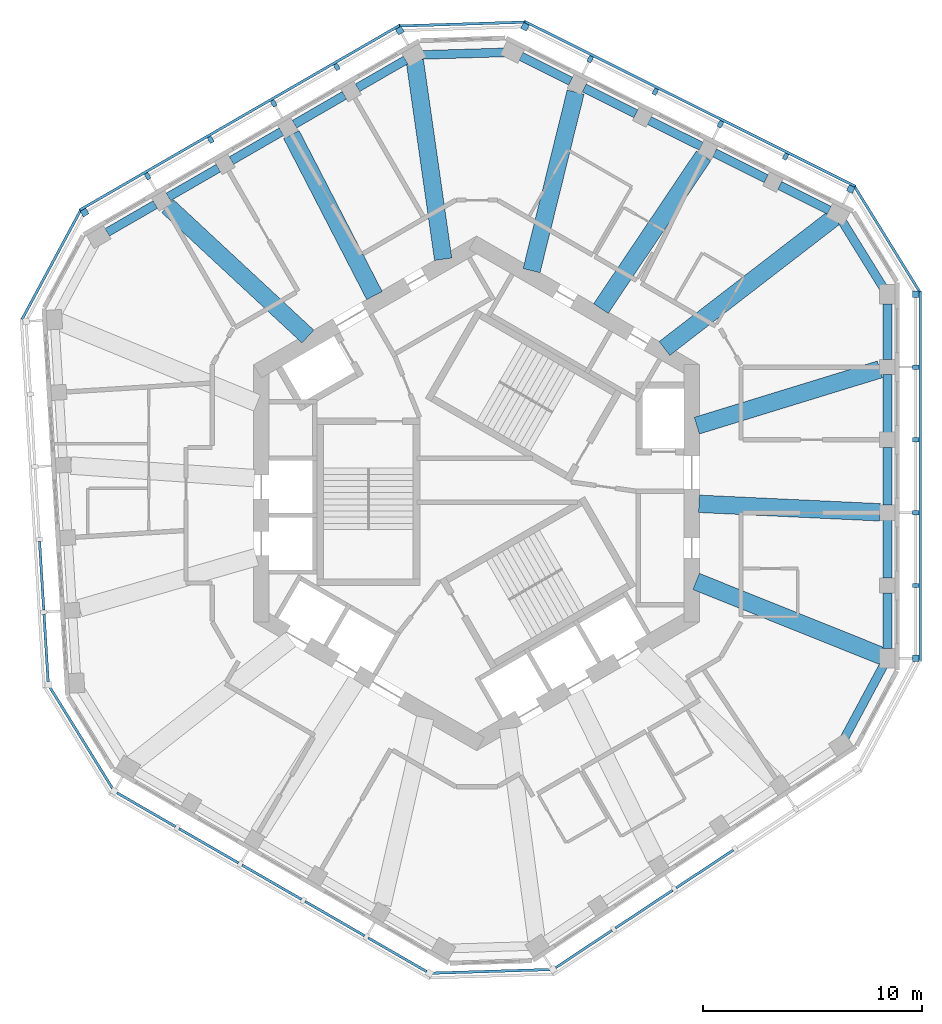
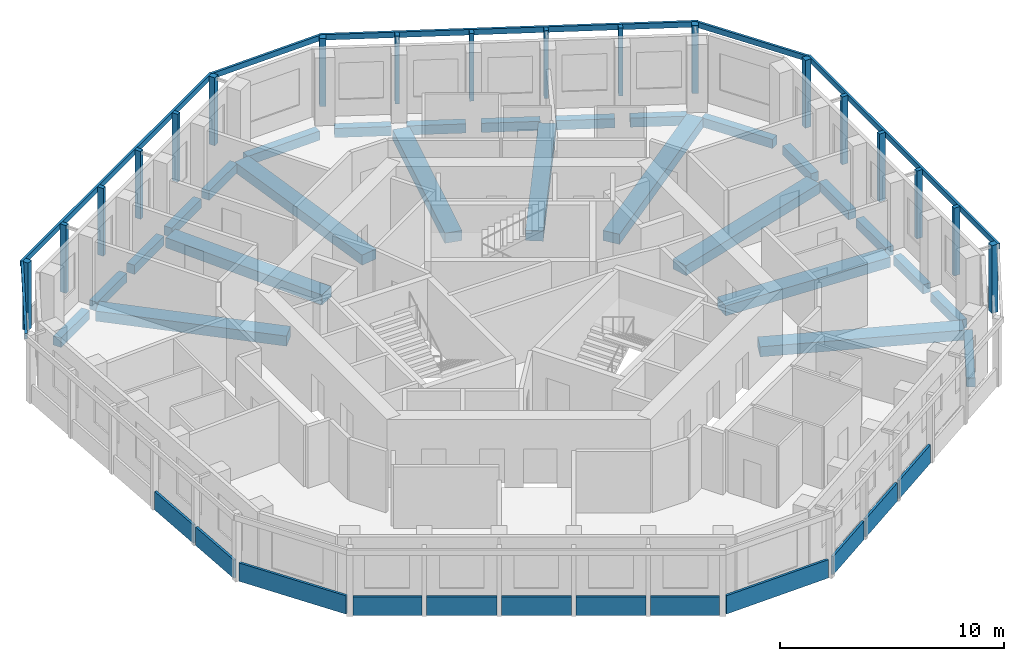
# One storey, part 2 of 11: 27 beams, 24 members, 12 plates, 11 elements without a shape of their own.
"""IFC4 building model written with IfcOpenShell, lengths in metres."""

import ifcopenshell
import ifcopenshell.guid

model = None  # the IFC model being written
_history = None  # IfcOwnerHistory: only IFC2X3 demands one
_inside = {}  # id of a spatial element -> (the spatial element, [elements in it])
_under = {}  # id of a project, library or spatial element -> (it, [spatial elements below it])
_declared = {}  # id of a project -> (the project, [libraries it declares])
_typed = {}  # id of a type object -> (the type object, [elements of that type])
_made_of = {}  # id of a material, layer set ... -> (it, [elements and type objects made of it])


def new_model(schema):
    """Start an empty IFC model of exactly this schema.

    Asked for "IFC4X3", IfcOpenShell would pick the latest addendum, in which some entities
    have other attributes; the version numbers below select the first issue.
    IFC2X3 requires an IfcOwnerHistory on every rooted entity: one is made here for all.
    """
    global model, _history
    if schema == "IFC4X3":
        model = ifcopenshell.file(schema_version=(4, 3, 0, 0))
    else:
        model = ifcopenshell.file(schema=schema)
    _inside.clear()
    _under.clear()
    _declared.clear()
    _typed.clear()
    _made_of.clear()
    _history = None
    if model.schema == "IFC2X3":
        org = make("IfcOrganization", Name="unknown")
        user = make(
            "IfcPersonAndOrganization",
            ThePerson=make("IfcPerson", FamilyName="unknown"),
            TheOrganization=org,
        )
        app = make(
            "IfcApplication",
            ApplicationDeveloper=org,
            Version="unknown",
            ApplicationFullName="unknown",
            ApplicationIdentifier="unknown",
        )
        _history = make(
            "IfcOwnerHistory",
            OwningUser=user,
            OwningApplication=app,
            ChangeAction="ADDED",
            CreationDate=0,
        )
    return model


def make(cls, **values):
    """One entity of the class cls with the attributes given. An attribute that is None is left unset."""
    return model.create_entity(
        cls, **{name: value for name, value in values.items() if value is not None}
    )


def rooted(cls, **values):
    """An entity with a GlobalId (a new one), such as an element, a storey or a relation."""
    return make(cls, GlobalId=ifcopenshell.guid.new(), OwnerHistory=_history, **values)


def si_unit(unit_type, name, prefix=None):
    """IfcSIUnit, for example si_unit("LENGTHUNIT", "METRE", prefix="MILLI")."""
    return make("IfcSIUnit", UnitType=unit_type, Prefix=prefix, Name=name)


def assignment(units):
    """IfcUnitAssignment: the units of a project."""
    return None if units is None else make("IfcUnitAssignment", Units=units)


def point(xyz):
    """IfcCartesianPoint."""
    return None if xyz is None else make("IfcCartesianPoint", Coordinates=xyz)


def direction(xyz):
    """IfcDirection."""
    return None if xyz is None else make("IfcDirection", DirectionRatios=xyz)


def frame(location, z_axis=None, x_axis=None):
    """IfcAxis2Placement3D, a coordinate frame: its origin and axes. An axis left out is left unset."""
    return make(
        "IfcAxis2Placement3D",
        Location=point(location),
        Axis=direction(z_axis),
        RefDirection=direction(x_axis),
    )


def frame_2d(location, x_axis=None):
    """IfcAxis2Placement2D, a coordinate frame in the plane: its origin and x axis."""
    return make(
        "IfcAxis2Placement2D", Location=point(location), RefDirection=direction(x_axis)
    )


def origin():
    """The frame at (0, 0, 0) with its axes left unset."""
    return frame((0.0, 0.0, 0.0))


def origin_2d():
    """The frame at (0, 0) in the plane with its x axis left unset."""
    return frame_2d((0.0, 0.0))


def place(relative_to, where):
    """IfcLocalPlacement: puts the frame where relative to a parent placement (None: the world)."""
    return make(
        "IfcLocalPlacement", PlacementRelTo=relative_to, RelativePlacement=where
    )


def context(
    kind, dimensions, precision=None, world=None, true_north=None, identifier=None
):
    """IfcGeometricRepresentationContext, for example the 3D "Model" context."""
    return make(
        "IfcGeometricRepresentationContext",
        ContextIdentifier=identifier,
        ContextType=kind,
        CoordinateSpaceDimension=dimensions,
        Precision=precision,
        WorldCoordinateSystem=world,
        TrueNorth=true_north,
    )


def subcontext(parent, identifier, kind, view, scale=None):
    """IfcGeometricRepresentationSubContext, for example "Body" below "Model"."""
    return make(
        "IfcGeometricRepresentationSubContext",
        ContextIdentifier=identifier,
        ContextType=kind,
        ParentContext=parent,
        TargetScale=scale,
        TargetView=view,
    )


def project(units=None, contexts=None):
    """IfcProject with its units and contexts."""
    return rooted(
        "IfcProject",
        Name="project",
        RepresentationContexts=contexts,
        UnitsInContext=assignment(units),
    )


def spatial(cls, under=None, at=None, **own):
    """A site, building, storey or space (cls), placed at a placement, below another one or the project."""
    s = rooted(cls, ObjectPlacement=at, **own)
    if under is not None:
        _under.setdefault(under.id(), (under, []))[1].append(s)
    return s


def profile(cls, at=None, kind="AREA", **sizes):
    """A parametric profile (cls). Its sizes go by their IFC names, for example OverallWidth=200.0."""
    return make(cls, ProfileType=kind, Position=at, **sizes)


def rectangle(**sizes):
    """IfcRectangleProfileDef."""
    return profile("IfcRectangleProfileDef", **sizes)


def extrude(swept, where, along, depth):
    """IfcExtrudedAreaSolid: the profile swept, set in the frame where, extruded along a direction by depth."""
    return make(
        "IfcExtrudedAreaSolid",
        SweptArea=swept,
        Position=where,
        ExtrudedDirection=direction(along),
        Depth=depth,
    )


def shape(context_of_items, identifier, shape_type, items):
    """IfcShapeRepresentation: the items that make up one representation, for example the "Body"."""
    return make(
        "IfcShapeRepresentation",
        ContextOfItems=context_of_items,
        RepresentationIdentifier=identifier,
        RepresentationType=shape_type,
        Items=items,
    )


def material(Name=None, Category=None):
    """IfcMaterial."""
    return make("IfcMaterial", Name=Name, Category=Category)


def layer(
    of_material, thickness, ventilated=None, Name=None, Category=None, Priority=None
):
    """IfcMaterialLayer: one layer of a wall or slab, of a material (None: an air gap)."""
    return make(
        "IfcMaterialLayer",
        Material=of_material,
        LayerThickness=thickness,
        IsVentilated=ventilated,
        Name=Name,
        Category=Category,
        Priority=Priority,
    )


def layer_set(layers, Name=None):
    """IfcMaterialLayerSet."""
    return make("IfcMaterialLayerSet", MaterialLayers=layers, LayerSetName=Name)


def material_profile(
    of_material, cross_section, Name=None, Category=None, Priority=None
):
    """IfcMaterialProfile: a cross section and its material."""
    return make(
        "IfcMaterialProfile",
        Name=Name,
        Material=of_material,
        Profile=cross_section,
        Priority=Priority,
        Category=Category,
    )


def profile_set(profiles, Name=None, composite=None):
    """IfcMaterialProfileSet."""
    return make(
        "IfcMaterialProfileSet",
        Name=Name,
        MaterialProfiles=profiles,
        CompositeProfile=composite,
    )


def made_of(thing, what):
    """Note that an element or type object is made of a material, layer set ...; save() writes the relation."""
    if what is not None:
        _made_of.setdefault(what.id(), (what, []))[1].append(thing)
    return thing


def type_object(cls, material=None, **own):
    """A type object (cls), such as IfcWallType, which elements share."""
    return made_of(rooted(cls, **own), material)


def element(
    cls,
    number,
    at=None,
    inside=None,
    cuts=None,
    type_object=None,
    material=None,
    context=None,
    identifier="Body",
    shape_type=None,
    held_by="IfcProductDefinitionShape",
    body=None,
    shapes=None,
    **own,
):
    """One element of the class cls, such as IfcWall. Its Tag is "e" and its number.

    at: its placement. inside: the storey or other place that contains it. cuts: it is an
    opening in that element (IfcRelVoidsElement). A single representation is given by context,
    identifier, shape_type and body (its items); several are given by shapes. held_by: the class
    of the entity that holds the representations. save() writes the other relations.
    """
    e = rooted(cls, Tag="e%d" % number, ObjectPlacement=at, **own)
    if body is not None:
        shapes = [shape(context, identifier, shape_type, body)]
    if shapes is not None:
        e.Representation = make(held_by, Representations=shapes)
    if inside is not None:
        _inside.setdefault(inside.id(), (inside, []))[1].append(e)
    if cuts is not None:
        rooted(
            "IfcRelVoidsElement", RelatingBuildingElement=cuts, RelatedOpeningElement=e
        )
    if type_object is not None:
        _typed.setdefault(type_object.id(), (type_object, []))[1].append(e)
    return made_of(e, material)


def aggregate(whole, parts):
    """IfcRelAggregates: a whole, such as a stair, and the parts it consists of."""
    return rooted("IfcRelAggregates", RelatingObject=whole, RelatedObjects=parts)


def save(model, path):
    """Write the relations noted so far, then the file.

    IfcRelAggregates (storeys below a building ...), IfcRelContainedInSpatialStructure (elements
    in a storey), IfcRelDefinesByType, IfcRelAssociatesMaterial and IfcRelDeclares: one each for
    every whole, place, type object, material and project.
    """
    for whole, parts in _under.values():
        aggregate(whole, parts)
    for where, things in _inside.values():
        rooted(
            "IfcRelContainedInSpatialStructure",
            RelatedElements=things,
            RelatingStructure=where,
        )
    for kind, things in _typed.values():
        rooted("IfcRelDefinesByType", RelatedObjects=things, RelatingType=kind)
    for what, things in _made_of.values():
        rooted("IfcRelAssociatesMaterial", RelatedObjects=things, RelatingMaterial=what)
    for by, libraries in _declared.values():
        rooted("IfcRelDeclares", RelatingContext=by, RelatedDefinitions=libraries)
    model.write(path)


model = new_model("IFC4")

# Units and contexts
model_context = context("Model", 3, precision=1e-05, world=origin(), true_north=direction((0.0, 1.0)))
body_context = subcontext(model_context, "Body", "Model", "MODEL_VIEW")
ifc_project = project(units=[si_unit("LENGTHUNIT", "METRE"), si_unit("AREAUNIT", "SQUARE_METRE"), si_unit("VOLUMEUNIT", "CUBIC_METRE"), si_unit("PLANEANGLEUNIT", "RADIAN"), si_unit("MASSUNIT", "GRAM", prefix="KILO")], contexts=[model_context])

# Site, building, storey
site_placement = place(None, origin())
site = spatial("IfcSite", under=ifc_project, at=site_placement, CompositionType="ELEMENT")
building_placement = place(site_placement, origin())
building = spatial("IfcBuilding", under=site, at=building_placement, Name="Vanh Sen Convention Tower", CompositionType="ELEMENT")
storey_placement = place(building_placement, frame((0.0, 0.0, 296.800048828125)))
storey = spatial("IfcBuildingStorey", under=building, at=storey_placement, Name="L73", CompositionType="ELEMENT", Elevation=296.800048828125)

# Curtain wall, members
ifc_material_1 = material(Name="Concrete C50/60", Category="concrete")
curtain_wall_type = type_object("IfcCurtainWallType", Name="Outer skin office zone", PredefinedType="NOTDEFINED", material=ifc_material_1)
curtain_wall_1_placement = place(storey_placement, origin())
curtain_wall_1 = element("IfcCurtainWall", 1, at=curtain_wall_1_placement, inside=storey, type_object=curtain_wall_type, Name="OUTER SKIN E L73", PredefinedType="NOTDEFINED")
ifc_material_profile_1 = material_profile(ifc_material_1, rectangle(XDim=0.300048828125, YDim=0.300048828125, at=origin_2d()), Name="Outer skin precast corner fin 300 x 300")
ifc_profile_set_1 = profile_set([ifc_material_profile_1], Name="Concrete C50/60")
member_type_1 = type_object("IfcMemberType", Name="Outer skin precast corner fin 300 x 300", PredefinedType="MULLION", material=ifc_profile_set_1)
member_1_placement = place(storey_placement, frame((20.10009765625, -7.546630859375, 0.0), z_axis=(0.0, 0.0, 1.0), x_axis=(0.0, 1.0, 0.0)))
member_1 = element("IfcMember", 2, at=member_1_placement, type_object=member_type_1, Name="OUTER SKIN CORNER FIN 1 E L73", PredefinedType="MULLION", context=body_context, shape_type="SweptSolid", body=[
    extrude(rectangle(XDim=0.300048828125, YDim=0.300048828125, at=origin_2d()), origin(), (0.0, 0.0, 1.0), 3.699951171875),
])
member_2_placement = place(storey_placement, frame((20.10009765625, 9.111572265625, 0.0), z_axis=(0.0, 0.0, 1.0), x_axis=(0.0, 1.0, 0.0)))
member_2 = element("IfcMember", 3, at=member_2_placement, type_object=member_type_1, Name="OUTER SKIN CORNER FIN 6 E L73", PredefinedType="MULLION", context=body_context, shape_type="SweptSolid", body=[
    extrude(rectangle(XDim=0.300048828125, YDim=0.300048828125, at=origin_2d()), origin(), (0.0, 0.0, 1.0), 3.699951171875),
])

curtain_wall_2_placement = place(storey_placement, origin())
curtain_wall_2 = element("IfcCurtainWall", 4, at=curtain_wall_2_placement, inside=storey, type_object=curtain_wall_type, Name="OUTER SKIN NE L73", PredefinedType="NOTDEFINED")
member_3_placement = place(storey_placement, frame((17.122802734375, 13.922607421875, 0.0), z_axis=(0.0, 0.0, 1.0), x_axis=(-0.894934361602, 0.44619781311, 0.0)))
member_3 = element("IfcMember", 5, at=member_3_placement, type_object=member_type_1, Name="OUTER SKIN CORNER FIN 1 NE L73", PredefinedType="MULLION", context=body_context, shape_type="SweptSolid", body=[
    extrude(rectangle(XDim=0.300048828125, YDim=0.300048828125, at=origin_2d()), origin(), (0.0, 0.0, 1.0), 3.699951171875),
])
member_4_placement = place(storey_placement, frame((2.21484375, 21.35546875, 0.0), z_axis=(0.0, 0.0, 1.0), x_axis=(-0.894934361602, 0.44619781311, 0.0)))
member_4 = element("IfcMember", 6, at=member_4_placement, type_object=member_type_1, Name="OUTER SKIN CORNER FIN 6 NE L73", PredefinedType="MULLION", context=body_context, shape_type="SweptSolid", body=[
    extrude(rectangle(XDim=0.300048828125, YDim=0.300048828125, at=origin_2d()), origin(), (0.0, 0.0, 1.0), 3.699951171875),
])

curtain_wall_3_placement = place(storey_placement, origin())
curtain_wall_3 = element("IfcCurtainWall", 7, at=curtain_wall_3_placement, inside=storey, type_object=curtain_wall_type, Name="OUTER SKIN NW L73", PredefinedType="NOTDEFINED")
member_5_placement = place(storey_placement, frame((-3.514404296875, 21.180419921875, 0.0), z_axis=(0.0, 0.0, 1.0), x_axis=(-0.866025403784, -0.5, 0.0)))
member_5 = element("IfcMember", 8, at=member_5_placement, type_object=member_type_1, Name="OUTER SKIN CORNER FIN 1 NW L73", PredefinedType="MULLION", context=body_context, shape_type="SweptSolid", body=[
    extrude(rectangle(XDim=0.300048828125, YDim=0.300048828125, at=origin_2d()), origin(), (0.0, 0.0, 1.0), 3.699951171875),
])
member_6_placement = place(storey_placement, frame((-17.94091796875, 12.851318359375, 0.0), z_axis=(0.0, 0.0, 1.0), x_axis=(-0.866025403784, -0.5, 0.0)))
member_6 = element("IfcMember", 9, at=member_6_placement, type_object=member_type_1, Name="OUTER SKIN CORNER FIN 6 NW L73", PredefinedType="MULLION", context=body_context, shape_type="SweptSolid", body=[
    extrude(rectangle(XDim=0.300048828125, YDim=0.300048828125, at=origin_2d()), origin(), (0.0, 0.0, 1.0), 3.699951171875),
])

# Member
ifc_material_profile_2 = material_profile(ifc_material_1, rectangle(XDim=0.199951171875, YDim=0.300048828125, at=origin_2d()), Name="Outer skin precast fin 200 x 300")
ifc_profile_set_2 = profile_set([ifc_material_profile_2], Name="Concrete C50/60")
member_type_2 = type_object("IfcMemberType", Name="Outer skin precast fin 200 x 300", PredefinedType="MULLION", material=ifc_profile_set_2)
member_7_placement = place(storey_placement, frame((20.10009765625, -4.215087890625, 0.0), z_axis=(0.0, 0.0, 1.0), x_axis=(0.0, 1.0, 0.0)))
member_7 = element("IfcMember", 10, at=member_7_placement, type_object=member_type_2, Name="OUTER SKIN fin 2 E L73", PredefinedType="MULLION", context=body_context, shape_type="SweptSolid", body=[
    extrude(rectangle(XDim=0.199951171875, YDim=0.300048828125, at=origin_2d()), origin(), (0.0, 0.0, 1.0), 3.699951171875),
])

member_8_placement = place(storey_placement, frame((20.10009765625, -0.88330078125, 0.0), z_axis=(0.0, 0.0, 1.0), x_axis=(0.0, 1.0, 0.0)))
member_8 = element("IfcMember", 11, at=member_8_placement, type_object=member_type_2, Name="OUTER SKIN fin 3 E L73", PredefinedType="MULLION", context=body_context, shape_type="SweptSolid", body=[
    extrude(rectangle(XDim=0.199951171875, YDim=0.300048828125, at=origin_2d()), origin(), (0.0, 0.0, 1.0), 3.699951171875),
])

member_9_placement = place(storey_placement, frame((20.10009765625, 2.4482421875, 0.0), z_axis=(0.0, 0.0, 1.0), x_axis=(0.0, 1.0, 0.0)))
member_9 = element("IfcMember", 12, at=member_9_placement, type_object=member_type_2, Name="OUTER SKIN fin 4 E L73", PredefinedType="MULLION", context=body_context, shape_type="SweptSolid", body=[
    extrude(rectangle(XDim=0.199951171875, YDim=0.300048828125, at=origin_2d()), origin(), (0.0, 0.0, 1.0), 3.699951171875),
])

member_10_placement = place(storey_placement, frame((20.10009765625, 5.77978515625, 0.0), z_axis=(0.0, 0.0, 1.0), x_axis=(0.0, 1.0, 0.0)))
member_10 = element("IfcMember", 13, at=member_10_placement, type_object=member_type_2, Name="OUTER SKIN fin 5 E L73", PredefinedType="MULLION", context=body_context, shape_type="SweptSolid", body=[
    extrude(rectangle(XDim=0.199951171875, YDim=0.300048828125, at=origin_2d()), origin(), (0.0, 0.0, 1.0), 3.699951171875),
])

member_11_placement = place(storey_placement, frame((14.14111328125, 15.4091796875, 0.0), z_axis=(0.0, 0.0, 1.0), x_axis=(-0.894934361602, 0.44619781311, 0.0)))
member_11 = element("IfcMember", 14, at=member_11_placement, type_object=member_type_2, Name="OUTER SKIN fin 2 NE L73", PredefinedType="MULLION", context=body_context, shape_type="SweptSolid", body=[
    extrude(rectangle(XDim=0.199951171875, YDim=0.300048828125, at=origin_2d()), origin(), (0.0, 0.0, 1.0), 3.699951171875),
])

member_12_placement = place(storey_placement, frame((11.15966796875, 16.895751953125, 0.0), z_axis=(0.0, 0.0, 1.0), x_axis=(-0.894934361602, 0.44619781311, 0.0)))
member_12 = element("IfcMember", 15, at=member_12_placement, type_object=member_type_2, Name="OUTER SKIN fin 3 NE L73", PredefinedType="MULLION", context=body_context, shape_type="SweptSolid", body=[
    extrude(rectangle(XDim=0.199951171875, YDim=0.300048828125, at=origin_2d()), origin(), (0.0, 0.0, 1.0), 3.699951171875),
])

member_13_placement = place(storey_placement, frame((8.177978515625, 18.38232421875, 0.0), z_axis=(0.0, 0.0, 1.0), x_axis=(-0.894934361602, 0.44619781311, 0.0)))
member_13 = element("IfcMember", 16, at=member_13_placement, type_object=member_type_2, Name="OUTER SKIN fin 4 NE L73", PredefinedType="MULLION", context=body_context, shape_type="SweptSolid", body=[
    extrude(rectangle(XDim=0.199951171875, YDim=0.300048828125, at=origin_2d()), origin(), (0.0, 0.0, 1.0), 3.699951171875),
])

member_14_placement = place(storey_placement, frame((5.1962890625, 19.868896484375, 0.0), z_axis=(0.0, 0.0, 1.0), x_axis=(-0.894934361602, 0.44619781311, 0.0)))
member_14 = element("IfcMember", 17, at=member_14_placement, type_object=member_type_2, Name="OUTER SKIN fin 5 NE L73", PredefinedType="MULLION", context=body_context, shape_type="SweptSolid", body=[
    extrude(rectangle(XDim=0.199951171875, YDim=0.300048828125, at=origin_2d()), origin(), (0.0, 0.0, 1.0), 3.699951171875),
])

member_15_placement = place(storey_placement, frame((-6.399658203125, 19.5146484375, 0.0), z_axis=(0.0, 0.0, 1.0), x_axis=(-0.866025403784, -0.5, 0.0)))
member_15 = element("IfcMember", 18, at=member_15_placement, type_object=member_type_2, Name="OUTER SKIN fin 2 NW L73", PredefinedType="MULLION", context=body_context, shape_type="SweptSolid", body=[
    extrude(rectangle(XDim=0.199951171875, YDim=0.300048828125, at=origin_2d()), origin(), (0.0, 0.0, 1.0), 3.699951171875),
])

member_16_placement = place(storey_placement, frame((-9.284912109375, 17.848876953125, 0.0), z_axis=(0.0, 0.0, 1.0), x_axis=(-0.866025403784, -0.5, 0.0)))
member_16 = element("IfcMember", 19, at=member_16_placement, type_object=member_type_2, Name="OUTER SKIN fin 3 NW L73", PredefinedType="MULLION", context=body_context, shape_type="SweptSolid", body=[
    extrude(rectangle(XDim=0.199951171875, YDim=0.300048828125, at=origin_2d()), origin(), (0.0, 0.0, 1.0), 3.699951171875),
])

member_17_placement = place(storey_placement, frame((-12.170166015625, 16.18310546875, 0.0), z_axis=(0.0, 0.0, 1.0), x_axis=(-0.866025403784, -0.5, 0.0)))
member_17 = element("IfcMember", 20, at=member_17_placement, type_object=member_type_2, Name="OUTER SKIN fin 4 NW L73", PredefinedType="MULLION", context=body_context, shape_type="SweptSolid", body=[
    extrude(rectangle(XDim=0.199951171875, YDim=0.300048828125, at=origin_2d()), origin(), (0.0, 0.0, 1.0), 3.699951171875),
])

member_18_placement = place(storey_placement, frame((-15.055419921875, 14.51708984375, 0.0), z_axis=(0.0, 0.0, 1.0), x_axis=(-0.866025403784, -0.5, 0.0)))
member_18 = element("IfcMember", 21, at=member_18_placement, type_object=member_type_2, Name="OUTER SKIN fin 5 NW L73", PredefinedType="MULLION", context=body_context, shape_type="SweptSolid", body=[
    extrude(rectangle(XDim=0.199951171875, YDim=0.300048828125, at=origin_2d()), origin(), (0.0, 0.0, 1.0), 3.699951171875),
])

ifc_material_profile_3 = material_profile(ifc_material_1, rectangle(XDim=0.1201171875, YDim=0.300048828125, at=origin_2d()), Name="Outer skin precast spandrel band 300 x 120")
ifc_profile_set_3 = profile_set([ifc_material_profile_3], Name="Concrete C50/60")
member_type_3 = type_object("IfcMemberType", Name="Outer skin precast spandrel band 300 x 120", PredefinedType="USERDEFINED", material=ifc_profile_set_3)
member_19_placement = place(storey_placement, frame((20.31005859375, -7.69677734375, 3.550048828125), z_axis=(0.0, 1.0, 0.0), x_axis=(-1.0, 0.0, 0.0)))
member_19 = element("IfcMember", 22, at=member_19_placement, type_object=member_type_3, Name="OUTER SKIN spandrel band E L73", ObjectType="TRANSOM", PredefinedType="USERDEFINED", context=body_context, shape_type="SweptSolid", body=[
    extrude(rectangle(XDim=0.1201171875, YDim=0.300048828125, at=origin_2d()), origin(), (0.0, 0.0, 1.0), 16.958251953125),
])

aggregate(curtain_wall_1, [member_1, member_7, member_8, member_9, member_10, member_2, member_19])

# Curtain wall, member
curtain_wall_4_placement = place(storey_placement, origin())
curtain_wall_4 = element("IfcCurtainWall", 23, at=curtain_wall_4_placement, inside=storey, type_object=curtain_wall_type, Name="OUTER SKIN CH1 L73", PredefinedType="NOTDEFINED")
member_20_placement = place(storey_placement, frame((20.278564453125, 9.221923828125, 3.550048828125), z_axis=(-0.52621200061, 0.850353415007, 0.0), x_axis=(-0.850353415007, -0.52621200061, 0.0)))
member_20 = element("IfcMember", 24, at=member_20_placement, type_object=member_type_3, Name="OUTER SKIN spandrel band CH1 L73", ObjectType="TRANSOM", PredefinedType="USERDEFINED", context=body_context, shape_type="SweptSolid", body=[
    extrude(rectangle(XDim=0.1201171875, YDim=0.300048828125, at=origin_2d()), origin(), (0.0, 0.0, 1.0), 5.657958984375),
])
aggregate(curtain_wall_4, [member_20])

# Member
member_21_placement = place(storey_placement, frame((17.3505859375, 14.043701171875, 3.550048828125), z_axis=(-0.894933383827, 0.446199774218, 0.0), x_axis=(-0.446199774218, -0.894933383827, 0.0)))
member_21 = element("IfcMember", 25, at=member_21_placement, type_object=member_type_3, Name="OUTER SKIN spandrel band NE L73", ObjectType="TRANSOM", PredefinedType="USERDEFINED", context=body_context, shape_type="SweptSolid", body=[
    extrude(rectangle(XDim=0.1201171875, YDim=0.300048828125, at=origin_2d()), origin(), (0.0, 0.0, 1.0), 16.9580078125),
])

aggregate(curtain_wall_2, [member_3, member_11, member_12, member_13, member_14, member_4, member_21])

# Curtain wall, member
curtain_wall_5_placement = place(storey_placement, origin())
curtain_wall_5 = element("IfcCurtainWall", 26, at=curtain_wall_5_placement, inside=storey, type_object=curtain_wall_type, Name="OUTER SKIN CH2 L73", PredefinedType="NOTDEFINED")
member_22_placement = place(storey_placement, frame((2.208251953125, 21.5654296875, 3.550048828125), z_axis=(-0.999533527312, -0.030540592307, 0.0), x_axis=(0.030540592307, -0.999533527312, 0.0)))
member_22 = element("IfcMember", 27, at=member_22_placement, type_object=member_type_3, Name="OUTER SKIN spandrel band CH2 L73", ObjectType="TRANSOM", PredefinedType="USERDEFINED", context=body_context, shape_type="SweptSolid", body=[
    extrude(rectangle(XDim=0.1201171875, YDim=0.300048828125, at=origin_2d()), origin(), (0.0, 0.0, 1.0), 5.731689453125),
])
aggregate(curtain_wall_5, [member_22])

# Member
member_23_placement = place(storey_placement, frame((-3.489501953125, 21.4375, 3.550048828125), z_axis=(-0.866022320763, -0.500005339912, 0.0), x_axis=(0.500005339912, -0.866022320763, 0.0)))
member_23 = element("IfcMember", 28, at=member_23_placement, type_object=member_type_3, Name="OUTER SKIN spandrel band NW L73", ObjectType="TRANSOM", PredefinedType="USERDEFINED", context=body_context, shape_type="SweptSolid", body=[
    extrude(rectangle(XDim=0.1201171875, YDim=0.300048828125, at=origin_2d()), origin(), (0.0, 0.0, 1.0), 16.958251953125),
])

aggregate(curtain_wall_3, [member_5, member_15, member_16, member_17, member_18, member_6, member_23])

# Curtain wall, member
curtain_wall_6_placement = place(storey_placement, origin())
curtain_wall_6 = element("IfcCurtainWall", 29, at=curtain_wall_6_placement, inside=storey, type_object=curtain_wall_type, Name="OUTER SKIN CH3 L73", PredefinedType="NOTDEFINED")
member_24_placement = place(storey_placement, frame((-18.125732421875, 12.95068359375, 3.550048828125), z_axis=(-0.473325096028, -0.880887821161, 0.0), x_axis=(0.880887821161, -0.473325096028, 0.0)))
member_24 = element("IfcMember", 30, at=member_24_placement, type_object=member_type_3, Name="OUTER SKIN spandrel band CH3 L73", ObjectType="TRANSOM", PredefinedType="USERDEFINED", context=body_context, shape_type="SweptSolid", body=[
    extrude(rectangle(XDim=0.1201171875, YDim=0.300048828125, at=origin_2d()), origin(), (0.0, 0.0, 1.0), 5.65771484375),
])
aggregate(curtain_wall_6, [member_24])

# Beams
ifc_material_2 = material(Name="Concrete C50/60", Category="concrete")
ifc_material_profile_4 = material_profile(ifc_material_2, rectangle(XDim=0.800048828125, YDim=0.550048828125, at=origin_2d()), Name="RC 800X550")
ifc_profile_set_4 = profile_set([ifc_material_profile_4], Name="Concrete C50/60")
beam_type_1 = type_object("IfcBeamType", Name="Radial floor beam 800 x 550", PredefinedType="BEAM", material=ifc_profile_set_4)
beam_1_placement = place(storey_placement, frame((18.6083984375, -7.4697265625, -0.554931640625), z_axis=(-0.928019750186, 0.372530996382, 0.0), x_axis=(-0.372530996382, -0.928019750186, 0.0)))
element("IfcBeam", 31, at=beam_1_placement, inside=storey, type_object=beam_type_1, Name="Radial beam 01 L73", PredefinedType="BEAM", context=body_context, shape_type="SweptSolid", body=[
    extrude(rectangle(XDim=0.800048828125, YDim=0.550048828125, at=origin_2d()), origin(), (0.0, 0.0, 1.0), 9.22607421875),
])
beam_2_placement = place(storey_placement, frame((18.455078125, -0.8671875, -0.554931640625), z_axis=(-0.998898389973, 0.046925542177, 0.0), x_axis=(-0.046925542177, -0.998898389973, 0.0)))
element("IfcBeam", 32, at=beam_2_placement, inside=storey, type_object=beam_type_1, Name="Radial beam 02 L73", PredefinedType="BEAM", context=body_context, shape_type="SweptSolid", body=[
    extrude(rectangle(XDim=0.800048828125, YDim=0.550048828125, at=origin_2d()), origin(), (0.0, 0.0, 1.0), 8.287841796875),
])
beam_3_placement = place(storey_placement, frame((18.454833984375, 5.673828125, -0.554931640625), z_axis=(-0.955848247614, -0.293860728123, 0.0), x_axis=(0.293860728123, -0.955848247614, 0.0)))
element("IfcBeam", 33, at=beam_3_placement, inside=storey, type_object=beam_type_1, Name="Radial beam 03 L73", PredefinedType="BEAM", context=body_context, shape_type="SweptSolid", body=[
    extrude(rectangle(XDim=0.800048828125, YDim=0.550048828125, at=origin_2d()), origin(), (0.0, 0.0, 1.0), 8.76416015625),
])
beam_4_placement = place(storey_placement, frame((16.39208984375, 12.64306640625, -0.554931640625), z_axis=(-0.791830241539, -0.610741245197, 0.0), x_axis=(0.610741245197, -0.791830241539, 0.0)))
element("IfcBeam", 34, at=beam_4_placement, inside=storey, type_object=beam_type_1, Name="Radial beam 04 L73", PredefinedType="BEAM", context=body_context, shape_type="SweptSolid", body=[
    extrude(rectangle(XDim=0.800048828125, YDim=0.550048828125, at=origin_2d()), origin(), (0.0, 0.0, 1.0), 9.841796875),
])
beam_5_placement = place(storey_placement, frame((10.38525390625, 15.443603515625, -0.554931640625), z_axis=(-0.558028231138, -0.829821964793, 0.0), x_axis=(0.829821964793, -0.558028231138, 0.0)))
element("IfcBeam", 35, at=beam_5_placement, inside=storey, type_object=beam_type_1, Name="Radial beam 05 L73", PredefinedType="BEAM", context=body_context, shape_type="SweptSolid", body=[
    extrude(rectangle(XDim=0.800048828125, YDim=0.550048828125, at=origin_2d()), origin(), (0.0, 0.0, 1.0), 8.41943359375),
])
beam_6_placement = place(storey_placement, frame((4.531494140625, 18.362060546875, -0.554931640625), z_axis=(-0.239606064073, -0.970870194238, 0.0), x_axis=(0.970870194238, -0.239606064073, 0.0)))
element("IfcBeam", 36, at=beam_6_placement, inside=storey, type_object=beam_type_1, Name="Radial beam 06 L73", PredefinedType="BEAM", context=body_context, shape_type="SweptSolid", body=[
    extrude(rectangle(XDim=0.800048828125, YDim=0.550048828125, at=origin_2d()), origin(), (0.0, 0.0, 1.0), 8.415283203125),
])
beam_7_placement = place(storey_placement, frame((-2.835205078125, 19.850341796875, -0.554931640625), z_axis=(0.141410242399, -0.989951081289, 0.0), x_axis=(0.989951081289, 0.141410242399, 0.0)))
element("IfcBeam", 37, at=beam_7_placement, inside=storey, type_object=beam_type_1, Name="Radial beam 07 L73", PredefinedType="BEAM", context=body_context, shape_type="SweptSolid", body=[
    extrude(rectangle(XDim=0.800048828125, YDim=0.550048828125, at=origin_2d()), origin(), (0.0, 0.0, 1.0), 9.226318359375),
])
beam_8_placement = place(storey_placement, frame((-8.476318359375, 16.416015625, -0.554931640625), z_axis=(0.458782483676, -0.888548610191, 0.0), x_axis=(0.888548610191, 0.458782483676, 0.0)))
element("IfcBeam", 38, at=beam_8_placement, inside=storey, type_object=beam_type_1, Name="Radial beam 08 L73", PredefinedType="BEAM", context=body_context, shape_type="SweptSolid", body=[
    extrude(rectangle(XDim=0.800048828125, YDim=0.550048828125, at=origin_2d()), origin(), (0.0, 0.0, 1.0), 8.28759765625),
])
beam_9_placement = place(storey_placement, frame((-14.14111328125, 13.1455078125, -0.554931640625), z_axis=(0.732431253202, -0.680840994163, 0.0), x_axis=(0.680840994163, 0.732431253202, 0.0)))
element("IfcBeam", 39, at=beam_9_placement, inside=storey, type_object=beam_type_1, Name="Radial beam 09 L73", PredefinedType="BEAM", context=body_context, shape_type="SweptSolid", body=[
    extrude(rectangle(XDim=0.800048828125, YDim=0.550048828125, at=origin_2d()), origin(), (0.0, 0.0, 1.0), 8.76416015625),
])
ifc_material_profile_5 = material_profile(ifc_material_2, rectangle(XDim=0.39990234375, YDim=0.5, at=origin_2d()), Name="RC 400X500")
ifc_profile_set_5 = profile_set([ifc_material_profile_5], Name="Concrete C50/60")
beam_type_2 = type_object("IfcBeamType", Name="Spandrel beam 400 x 500", PredefinedType="SPANDREL", material=ifc_profile_set_5)
beam_10_placement = place(storey_placement, frame((18.800048828125, -7.101806640625, -0.530029296875), z_axis=(0.0, 1.0, 0.0), x_axis=(-1.0, 0.0, 0.0)))
element("IfcBeam", 40, at=beam_10_placement, inside=storey, type_object=beam_type_2, Name="Spandrel beam 01 L73", PredefinedType="SPANDREL", context=body_context, shape_type="SweptSolid", body=[
    extrude(rectangle(XDim=0.39990234375, YDim=0.5, at=origin_2d()), origin(), (0.0, 0.0, 1.0), 2.541748046875),
])
for number, where, z_axis, x_axis, name in (
    (41, (18.800048828125, -3.8701171875, -0.530029296875), (0.0, 1.0, 0.0), (-1.0, 0.0, 0.0), "Spandrel beam 02 L73"),
    (42, (18.800048828125, -0.538330078125, -0.530029296875), (0.0, 1.0, 0.0), (-1.0, 0.0, 0.0), "Spandrel beam 03 L73"),
    (43, (18.800048828125, 2.793212890625, -0.530029296875), (0.0, 1.0, 0.0), (-1.0, 0.0, 0.0), "Spandrel beam 04 L73"),
):
    element("IfcBeam", number, at=place(storey_placement, frame(where, z_axis=z_axis, x_axis=x_axis)), inside=storey, type_object=beam_type_2, Name=name, PredefinedType="SPANDREL", context=body_context, shape_type="SweptSolid", body=[
        extrude(rectangle(XDim=0.39990234375, YDim=0.5, at=origin_2d()), origin(), (0.0, 0.0, 1.0), 2.6416015625),
    ])
beam_11_placement = place(storey_placement, frame((18.800048828125, 6.125, -0.530029296875), z_axis=(0.0, 1.0, 0.0), x_axis=(-1.0, 0.0, 0.0)))
element("IfcBeam", 44, at=beam_11_placement, inside=storey, type_object=beam_type_2, Name="Spandrel beam 05 L73", PredefinedType="SPANDREL", context=body_context, shape_type="SweptSolid", body=[
    extrude(rectangle(XDim=0.39990234375, YDim=0.5, at=origin_2d()), origin(), (0.0, 0.0, 1.0), 2.54150390625),
])
beam_12_placement = place(storey_placement, frame((18.622802734375, 9.39794921875, -0.530029296875), z_axis=(-0.526243037715, 0.850334207978, 0.0), x_axis=(-0.850334207978, -0.526243037715, 0.0)))
element("IfcBeam", 45, at=beam_12_placement, inside=storey, type_object=beam_type_2, Name="Spandrel beam 06 L73", PredefinedType="SPANDREL", context=body_context, shape_type="SweptSolid", body=[
    extrude(rectangle(XDim=0.39990234375, YDim=0.5, at=origin_2d()), origin(), (0.0, 0.0, 1.0), 3.615966796875),
])
beam_13_placement = place(storey_placement, frame((16.144287109375, 12.957763671875, -0.530029296875), z_axis=(-0.894926162451, 0.446214257684, 0.0), x_axis=(-0.446214257684, -0.894926162451, 0.0)))
element("IfcBeam", 46, at=beam_13_placement, inside=storey, type_object=beam_type_2, Name="Spandrel beam 07 L73", PredefinedType="SPANDREL", context=body_context, shape_type="SweptSolid", body=[
    extrude(rectangle(XDim=0.39990234375, YDim=0.5, at=origin_2d()), origin(), (0.0, 0.0, 1.0), 2.54150390625),
])
for number, where, z_axis, x_axis, name in (
    (47, (13.25244140625, 14.399658203125, -0.530029296875), (-0.894907211367, 0.446252263909, 0.0), (-0.446252263909, -0.894907211367, 0.0), "Spandrel beam 08 L73"),
    (48, (10.270751953125, 15.88623046875, -0.530029296875), (-0.894907211367, 0.446252263909, 0.0), (-0.446252263909, -0.894907211367, 0.0), "Spandrel beam 09 L73"),
):
    element("IfcBeam", number, at=place(storey_placement, frame(where, z_axis=z_axis, x_axis=x_axis)), inside=storey, type_object=beam_type_2, Name=name, PredefinedType="SPANDREL", context=body_context, shape_type="SweptSolid", body=[
        extrude(rectangle(XDim=0.39990234375, YDim=0.5, at=origin_2d()), origin(), (0.0, 0.0, 1.0), 2.641845703125),
    ])
beam_14_placement = place(storey_placement, frame((7.2890625, 17.372802734375, -0.530029296875), z_axis=(-0.894925714782, 0.446215155527, 0.0), x_axis=(-0.446215155527, -0.894925714782, 0.0)))
element("IfcBeam", 49, at=beam_14_placement, inside=storey, type_object=beam_type_2, Name="Spandrel beam 10 L73", PredefinedType="SPANDREL", context=body_context, shape_type="SweptSolid", body=[
    extrude(rectangle(XDim=0.39990234375, YDim=0.5, at=origin_2d()), origin(), (0.0, 0.0, 1.0), 2.6416015625),
])
beam_15_placement = place(storey_placement, frame((4.3076171875, 18.859375, -0.530029296875), z_axis=(-0.894945286886, 0.446175899709, 0.0), x_axis=(-0.446175899709, -0.894945286886, 0.0)))
element("IfcBeam", 50, at=beam_15_placement, inside=storey, type_object=beam_type_2, Name="Spandrel beam 11 L73", PredefinedType="SPANDREL", context=body_context, shape_type="SweptSolid", body=[
    extrude(rectangle(XDim=0.39990234375, YDim=0.5, at=origin_2d()), origin(), (0.0, 0.0, 1.0), 2.541748046875),
])
beam_16_placement = place(storey_placement, frame((1.272705078125, 20.180908203125, -0.530029296875), z_axis=(-0.999536362702, -0.030447654044, 0.0), x_axis=(0.030447654044, -0.999536362702, 0.0)))
element("IfcBeam", 51, at=beam_16_placement, inside=storey, type_object=beam_type_2, Name="Spandrel beam 12 L73", PredefinedType="SPANDREL", context=body_context, shape_type="SweptSolid", body=[
    extrude(rectangle(XDim=0.39990234375, YDim=0.5, at=origin_2d()), origin(), (0.0, 0.0, 1.0), 3.776611328125),
])
beam_17_placement = place(storey_placement, frame((-3.249755859375, 19.832275390625, -0.530029296875), z_axis=(-0.86597601289, -0.500085537782, 0.0), x_axis=(0.500085537782, -0.86597601289, 0.0)))
element("IfcBeam", 52, at=beam_17_placement, inside=storey, type_object=beam_type_2, Name="Spandrel beam 13 L73", PredefinedType="SPANDREL", context=body_context, shape_type="SweptSolid", body=[
    extrude(rectangle(XDim=0.39990234375, YDim=0.5, at=origin_2d()), origin(), (0.0, 0.0, 1.0), 2.54150390625),
])
for number, where, z_axis, x_axis, name in (
    (53, (-6.04833984375, 18.21630859375, -0.530029296875), (-0.86603938454, -0.49997578384, 0.0), (0.49997578384, -0.86603938454, 0.0), "Spandrel beam 14 L73"),
    (54, (-8.93359375, 16.550537109375, -0.530029296875), (-0.86603938454, -0.49997578384, 0.0), (0.49997578384, -0.86603938454, 0.0), "Spandrel beam 15 L73"),
):
    element("IfcBeam", number, at=place(storey_placement, frame(where, z_axis=z_axis, x_axis=x_axis)), inside=storey, type_object=beam_type_2, Name=name, PredefinedType="SPANDREL", context=body_context, shape_type="SweptSolid", body=[
        extrude(rectangle(XDim=0.39990234375, YDim=0.5, at=origin_2d()), origin(), (0.0, 0.0, 1.0), 2.641845703125),
    ])
beam_18_placement = place(storey_placement, frame((-11.819091796875, 14.884765625, -0.530029296875), z_axis=(-0.865976257072, -0.500085114943, 0.0), x_axis=(0.500085114943, -0.865976257072, 0.0)))
element("IfcBeam", 55, at=beam_18_placement, inside=storey, type_object=beam_type_2, Name="Spandrel beam 16 L73", PredefinedType="SPANDREL", context=body_context, shape_type="SweptSolid", body=[
    extrude(rectangle(XDim=0.39990234375, YDim=0.5, at=origin_2d()), origin(), (0.0, 0.0, 1.0), 2.6416015625),
])
beam_19_placement = place(storey_placement, frame((-14.704345703125, 13.21875, -0.530029296875), z_axis=(-0.866041625918, -0.499971901387, 0.0), x_axis=(0.499971901387, -0.866041625918, 0.0)))
element("IfcBeam", 56, at=beam_19_placement, inside=storey, type_object=beam_type_2, Name="Spandrel beam 17 L73", PredefinedType="SPANDREL", context=body_context, shape_type="SweptSolid", body=[
    extrude(rectangle(XDim=0.39990234375, YDim=0.5, at=origin_2d()), origin(), (0.0, 0.0, 1.0), 2.541748046875),
])
beam_20_placement = place(storey_placement, frame((16.8408203125, -11.192626953125, -0.530029296875), z_axis=(0.473317097913, 0.88089211872, 0.0), x_axis=(-0.88089211872, 0.473317097913, 0.0)))
element("IfcBeam", 57, at=beam_20_placement, inside=storey, type_object=beam_type_2, Name="Spandrel beam 36 L73", PredefinedType="SPANDREL", context=body_context, shape_type="SweptSolid", body=[
    extrude(rectangle(XDim=0.39990234375, YDim=0.5, at=origin_2d()), origin(), (0.0, 0.0, 1.0), 3.77685546875),
])

# Curtain wall, plates
curtain_wall_7_placement = place(storey_placement, origin())
curtain_wall_7 = element("IfcCurtainWall", 58, at=curtain_wall_7_placement, inside=storey, type_object=curtain_wall_type, Name="OUTER SKIN W L73", PredefinedType="NOTDEFINED")
ifc_layer = layer(ifc_material_1, 0.1201171875)
ifc_layer_set = layer_set([ifc_layer], Name="Concrete C50/60")
plate_type = type_object("IfcPlateType", Name="Outer skin precast screen panel 120", PredefinedType="CURTAIN_PANEL", material=ifc_layer_set)
plate_1_placement = place(storey_placement, frame((-19.906982421875, -3.771484375, 0.0), z_axis=(0.0, 0.0, 1.0), x_axis=(0.061052023682, -0.998134585316, 0.0)))
plate_1 = element("IfcPlate", 59, at=plate_1_placement, type_object=plate_type, Name="OUTER SKIN screen panel W-4", PredefinedType="CURTAIN_PANEL", context=body_context, shape_type="SweptSolid", body=[
    extrude(rectangle(XDim=3.131591796875, YDim=0.1201171875, at=origin_2d()), origin(), (0.0, 0.0, 1.0), 1.0),
])
plate_2_placement = place(storey_placement, frame((-19.705078125, -7.072021484375, 0.0), z_axis=(0.0, 0.0, 1.0), x_axis=(0.061050281609, -0.998134691871, 0.0)))
plate_2 = element("IfcPlate", 60, at=plate_2_placement, type_object=plate_type, Name="OUTER SKIN screen panel W-5", PredefinedType="CURTAIN_PANEL", context=body_context, shape_type="SweptSolid", body=[
    extrude(rectangle(XDim=3.081787109375, YDim=0.1201171875, at=origin_2d()), origin(), (0.0, 0.0, 1.0), 1.0),
])
aggregate(curtain_wall_7, [plate_1, plate_2])

# Curtain wall, plate
curtain_wall_8_placement = place(storey_placement, origin())
curtain_wall_8 = element("IfcCurtainWall", 61, at=curtain_wall_8_placement, inside=storey, type_object=curtain_wall_type, Name="OUTER SKIN CH4 L73", PredefinedType="NOTDEFINED")
plate_3_placement = place(storey_placement, frame((-18.09375, -11.19677734375, 0.0), z_axis=(0.0, 0.0, 1.0), x_axis=(0.526210955359, -0.850354061823, 0.0)))
plate_3 = element("IfcPlate", 62, at=plate_3_placement, type_object=plate_type, Name="OUTER SKIN screen panel CH4-1", PredefinedType="CURTAIN_PANEL", context=body_context, shape_type="SweptSolid", body=[
    extrude(rectangle(XDim=5.431640625, YDim=0.1201171875, at=origin_2d()), origin(), (0.0, 0.0, 1.0), 1.0),
])
aggregate(curtain_wall_8, [plate_3])

# Curtain wall, plates
curtain_wall_9_placement = place(storey_placement, origin())
curtain_wall_9 = element("IfcCurtainWall", 63, at=curtain_wall_9_placement, inside=storey, type_object=curtain_wall_type, Name="OUTER SKIN SW L73", PredefinedType="NOTDEFINED")
plate_4_placement = place(storey_placement, frame((-15.121337890625, -14.47900390625, 0.0), z_axis=(0.0, 0.0, 1.0), x_axis=(0.866028894422, -0.49999395399, 0.0)))
plate_4 = element("IfcPlate", 64, at=plate_4_placement, type_object=plate_type, Name="OUTER SKIN screen panel SW-1", PredefinedType="CURTAIN_PANEL", context=body_context, shape_type="SweptSolid", body=[
    extrude(rectangle(XDim=3.08154296875, YDim=0.1201171875, at=origin_2d()), origin(), (0.0, 0.0, 1.0), 1.0),
])
plate_5_placement = place(storey_placement, frame((-12.2578125, -16.132568359375, 0.0), z_axis=(0.0, 0.0, 1.0), x_axis=(0.866015804314, -0.500016626402, 0.0)))
plate_5 = element("IfcPlate", 65, at=plate_5_placement, type_object=plate_type, Name="OUTER SKIN screen panel SW-2", PredefinedType="CURTAIN_PANEL", context=body_context, shape_type="SweptSolid", body=[
    extrude(rectangle(XDim=3.131591796875, YDim=0.1201171875, at=origin_2d()), origin(), (0.0, 0.0, 1.0), 1.0),
])
plate_6_placement = place(storey_placement, frame((-9.37255859375, -17.79833984375, 0.0), z_axis=(0.0, 0.0, 1.0), x_axis=(0.866028894422, -0.49999395399, 0.0)))
plate_6 = element("IfcPlate", 66, at=plate_6_placement, type_object=plate_type, Name="OUTER SKIN screen panel SW-3", PredefinedType="CURTAIN_PANEL", context=body_context, shape_type="SweptSolid", body=[
    extrude(rectangle(XDim=3.131591796875, YDim=0.1201171875, at=origin_2d()), origin(), (0.0, 0.0, 1.0), 1.0),
])
plate_7_placement = place(storey_placement, frame((-6.487060546875, -19.464111328125, 0.0), z_axis=(0.0, 0.0, 1.0), x_axis=(0.866028894422, -0.49999395399, 0.0)))
plate_7 = element("IfcPlate", 67, at=plate_7_placement, type_object=plate_type, Name="OUTER SKIN screen panel SW-4", PredefinedType="CURTAIN_PANEL", context=body_context, shape_type="SweptSolid", body=[
    extrude(rectangle(XDim=3.131591796875, YDim=0.1201171875, at=origin_2d()), origin(), (0.0, 0.0, 1.0), 1.0),
])
plate_8_placement = place(storey_placement, frame((-3.62353515625, -21.117431640625, 0.0), z_axis=(0.0, 0.0, 1.0), x_axis=(0.866028894422, -0.49999395399, 0.0)))
plate_8 = element("IfcPlate", 68, at=plate_8_placement, type_object=plate_type, Name="OUTER SKIN screen panel SW-5", PredefinedType="CURTAIN_PANEL", context=body_context, shape_type="SweptSolid", body=[
    extrude(rectangle(XDim=3.08154296875, YDim=0.1201171875, at=origin_2d()), origin(), (0.0, 0.0, 1.0), 1.0),
])
aggregate(curtain_wall_9, [plate_4, plate_5, plate_6, plate_7, plate_8])

# Curtain wall, plate
curtain_wall_10_placement = place(storey_placement, origin())
curtain_wall_10 = element("IfcCurtainWall", 69, at=curtain_wall_10_placement, inside=storey, type_object=curtain_wall_type, Name="OUTER SKIN CH5 L73", PredefinedType="NOTDEFINED")
plate_9_placement = place(storey_placement, frame((0.66845703125, -21.87646484375, 0.0), z_axis=(0.0, 0.0, 1.0), x_axis=(0.999533590837, 0.03053851321, 0.0)))
plate_9 = element("IfcPlate", 70, at=plate_9_placement, type_object=plate_type, Name="OUTER SKIN screen panel CH5-1", PredefinedType="CURTAIN_PANEL", context=body_context, shape_type="SweptSolid", body=[
    extrude(rectangle(XDim=5.35791015625, YDim=0.1201171875, at=origin_2d()), origin(), (0.0, 0.0, 1.0), 1.0),
])
aggregate(curtain_wall_10, [plate_9])

# Curtain wall, plates
curtain_wall_11_placement = place(storey_placement, origin())
curtain_wall_11 = element("IfcCurtainWall", 71, at=curtain_wall_11_placement, inside=storey, type_object=curtain_wall_type, Name="OUTER SKIN SE L73", PredefinedType="NOTDEFINED")
plate_10_placement = place(storey_placement, frame((4.906005859375, -20.85693359375, 0.0), z_axis=(0.0, 0.0, 1.0), x_axis=(0.833902198, 0.551912243179, 0.0)))
plate_10 = element("IfcPlate", 72, at=plate_10_placement, type_object=plate_type, Name="OUTER SKIN screen panel SE-1", PredefinedType="CURTAIN_PANEL", context=body_context, shape_type="SweptSolid", body=[
    extrude(rectangle(XDim=3.081787109375, YDim=0.1201171875, at=origin_2d()), origin(), (0.0, 0.0, 1.0), 1.0),
])
plate_11_placement = place(storey_placement, frame((7.663330078125, -19.03173828125, 0.0), z_axis=(0.0, 0.0, 1.0), x_axis=(0.833879078823, 0.551947173108, 0.0)))
plate_11 = element("IfcPlate", 73, at=plate_11_placement, type_object=plate_type, Name="OUTER SKIN screen panel SE-2", PredefinedType="CURTAIN_PANEL", context=body_context, shape_type="SweptSolid", body=[
    extrude(rectangle(XDim=3.131591796875, YDim=0.1201171875, at=origin_2d()), origin(), (0.0, 0.0, 1.0), 1.0),
])
plate_12_placement = place(storey_placement, frame((10.44140625, -17.193115234375, 0.0), z_axis=(0.0, 0.0, 1.0), x_axis=(0.833892565187, 0.551926797434, 0.0)))
plate_12 = element("IfcPlate", 74, at=plate_12_placement, type_object=plate_type, Name="OUTER SKIN screen panel SE-3", PredefinedType="CURTAIN_PANEL", context=body_context, shape_type="SweptSolid", body=[
    extrude(rectangle(XDim=3.131591796875, YDim=0.1201171875, at=origin_2d()), origin(), (0.0, 0.0, 1.0), 1.0),
])
aggregate(curtain_wall_11, [plate_10, plate_11, plate_12])

save(model, "model.ifc")
